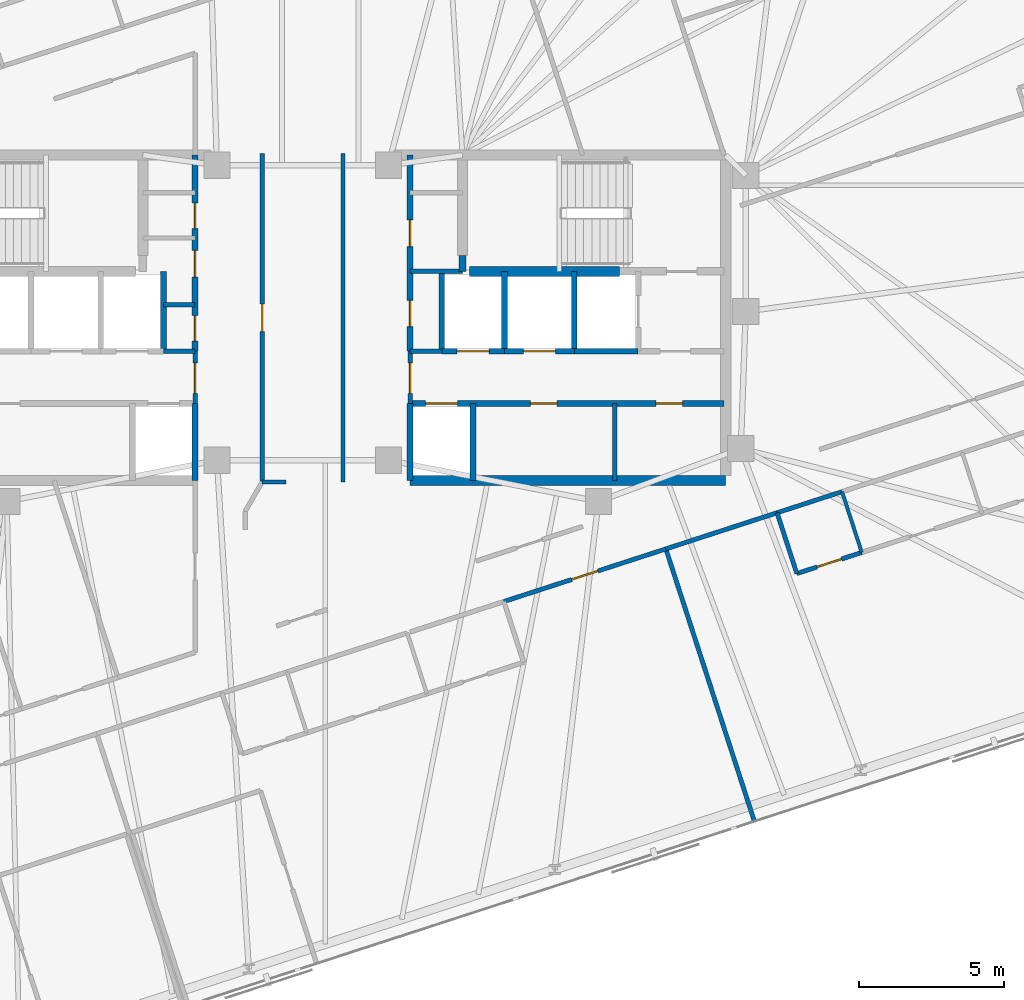
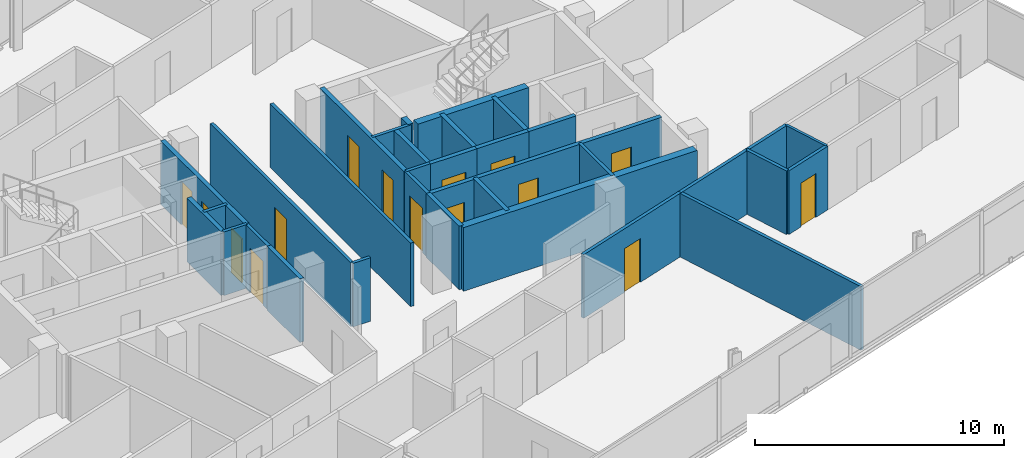
# One storey, part 15 of 20: 33 walls, 15 doors, 15 openings.
"""IFC4 building model written with IfcOpenShell, lengths in metres."""

from ifc_helpers import new_model, si_unit, direction, frame, frame_2d, origin, place, context, subcontext, project, spatial, rectangle, extrude, material, layer, layer_set, type_object, element, fill, save


model = new_model("IFC4")

# Units and contexts
model_context = context("Model", 3, precision=1e-05, world=origin(), true_north=direction((0.0, 1.0)))
body_context = subcontext(model_context, "Body", "Model", "MODEL_VIEW")
ifc_project = project(units=[si_unit("LENGTHUNIT", "METRE"), si_unit("AREAUNIT", "SQUARE_METRE"), si_unit("VOLUMEUNIT", "CUBIC_METRE"), si_unit("PLANEANGLEUNIT", "RADIAN"), si_unit("MASSUNIT", "GRAM", prefix="KILO")], contexts=[model_context])

# Site, building, storey
site_placement = place(None, origin())
site = spatial("IfcSite", under=ifc_project, at=site_placement, CompositionType="ELEMENT")
building_placement = place(site_placement, origin())
building = spatial("IfcBuilding", under=site, at=building_placement, Name="Menara Jurai Vektor", CompositionType="ELEMENT")
storey_placement = place(building_placement, frame((0.0, 0.0, 237.699951171875)))
storey = spatial("IfcBuildingStorey", under=building, at=storey_placement, Name="L63", CompositionType="ELEMENT", Elevation=237.699951171875)

# Walls
ifc_material_1 = material(Name="Concrete C40/50", Category="concrete")
ifc_layer_1 = layer(ifc_material_1, 0.25)
ifc_layer_set_1 = layer_set([ifc_layer_1], Name="Concrete C40/50")
wall_type_1 = type_object("IfcWallType", Name="INT-WALL-CORE-250", PredefinedType="STANDARD", material=ifc_layer_set_1)
wall_1_placement = place(storey_placement, frame((5.5, 1.60009765625, 0.0), z_axis=(0.0, 0.0, 1.0), x_axis=(0.0, 1.0, 0.0)))
element("IfcWall", 1, at=wall_1_placement, inside=storey, type_object=wall_type_1, Name="Interior Wall IW-250 L63", PredefinedType="STANDARD", context=body_context, shape_type="SweptSolid", body=[
    extrude(rectangle(XDim=0.5498046875, YDim=0.25, at=frame_2d((0.27490234375, 0.0))), origin(), (0.0, 0.0, 1.0), 3.125),
])
wall_2_placement = place(storey_placement, frame((9.35009765625, -1.14990234375, 0.0), z_axis=(0.0, 0.0, 1.0), x_axis=(0.0, 1.0, 0.0)))
element("IfcWall", 2, at=wall_2_placement, inside=storey, type_object=wall_type_1, Name="Interior Wall IW-250 L63", PredefinedType="STANDARD", context=body_context, shape_type="SweptSolid", body=[
    extrude(rectangle(XDim=2.75, YDim=0.199951171875, at=frame_2d((1.375, 0.0))), origin(), (0.0, 0.0, 1.0), 3.125),
])
wall_3_placement = place(storey_placement, frame((9.35009765625, -1.14990234375, 0.0), z_axis=(0.0, 0.0, 1.0), x_axis=(1.0, 0.0, 0.0)))
element("IfcWall", 3, at=wall_3_placement, inside=storey, type_object=wall_type_1, Name="Interior Wall IW-250 L63", PredefinedType="STANDARD", context=body_context, shape_type="SweptSolid", body=[
    extrude(rectangle(XDim=2.199951171875, YDim=0.199951171875, at=frame_2d((1.10009765625, 0.0))), origin(), (0.0, 0.0, 1.0), 3.125),
])

# Wall, opening, door
ifc_material_2 = material(Name="Gypsum Fireboard Partition", Category="gypsum")
ifc_layer_2 = layer(ifc_material_2, 0.14990234375)
ifc_layer_set_2 = layer_set([ifc_layer_2], Name="Gypsum Fireboard Partition")
wall_type_2 = type_object("IfcWallType", Name="INT-WALL-CORR-150", PredefinedType="PARTITIONING", material=ifc_layer_set_2)
wall_4_placement = place(storey_placement, frame((-3.699951171875, -2.949951171875, 0.0), z_axis=(0.0, 0.0, 1.0), x_axis=(0.0, 1.0, 0.0)))
wall_4 = element("IfcWall", 4, at=wall_4_placement, inside=storey, type_object=wall_type_2, Name="Interior Wall IW-150 L63", PredefinedType="PARTITIONING", context=body_context, shape_type="SweptSolid", body=[
    extrude(rectangle(XDim=1.800048828125, YDim=0.14990234375, at=frame_2d((0.89990234375, 0.0))), origin(), (0.0, 0.0, 1.0), 3.125),
])
opening_1_placement = place(wall_4_placement, frame((0.35009765625, 0.0, 0.0)))
opening_1 = element("IfcOpeningElement", 5, at=opening_1_placement, cuts=wall_4, Name="Opening D-L63-LLW", PredefinedType="OPENING", context=body_context, shape_type="SweptSolid", body=[
    extrude(rectangle(XDim=1.050048828125, YDim=2.179931640625, at=frame_2d((0.52490234375, 1.08984375))), frame((0.0, 0.0849609375, 0.0), z_axis=(0.0, -1.0, 0.0), x_axis=(1.0, 0.0, 0.0)), (0.0, 0.0, 1.0), 0.169921875),
])
ifc_material_3 = material(Name="Fire-Rated Timber Door", Category="wood")
door_type_1 = type_object("IfcDoorType", Name="DR-LOBBY-1050", OperationType="NOTDEFINED", PredefinedType="DOOR", material=ifc_material_3)
door_1_placement = place(opening_1_placement, origin())
door_1 = element("IfcDoor", 6, at=door_1_placement, inside=storey, type_object=door_type_1, Name="Lift Lobby Corridor Door W L63", OperationType="SINGLE_SWING_LEFT", OverallHeight=2.179931640625, OverallWidth=1.050048828125, PredefinedType="DOOR", context=body_context, shape_type="SweptSolid", body=[
    extrude(rectangle(XDim=1.050048828125, YDim=2.179931640625, at=frame_2d((0.52490234375, 1.08984375))), frame((0.0, 0.02490234375, 0.0), z_axis=(0.0, -1.0, 0.0), x_axis=(1.0, 0.0, 0.0)), (0.0, 0.0, 1.0), 0.050048828125),
])
fill(opening_1, door_1)

# Wall
wall_5_placement = place(storey_placement, frame((-4.7900390625, -1.14990234375, 0.0), z_axis=(0.0, 0.0, 1.0), x_axis=(1.0, 0.0, 0.0)))
element("IfcWall", 7, at=wall_5_placement, inside=storey, type_object=wall_type_2, Name="Interior Wall IW-150 L63", PredefinedType="PARTITIONING", context=body_context, shape_type="SweptSolid", body=[
    extrude(rectangle(XDim=1.090087890625, YDim=0.14990234375, at=frame_2d((0.544921875, 0.0))), origin(), (0.0, 0.0, 1.0), 3.125),
])

# Wall, opening, door
wall_6_placement = place(storey_placement, frame((3.699951171875, -2.949951171875, 0.0), z_axis=(0.0, 0.0, 1.0), x_axis=(0.0, 1.0, 0.0)))
wall_6 = element("IfcWall", 8, at=wall_6_placement, inside=storey, type_object=wall_type_2, Name="Interior Wall IW-150 L63", PredefinedType="PARTITIONING", context=body_context, shape_type="SweptSolid", body=[
    extrude(rectangle(XDim=1.800048828125, YDim=0.14990234375, at=frame_2d((0.89990234375, 0.0))), origin(), (0.0, 0.0, 1.0), 3.125),
])
opening_2_placement = place(wall_6_placement, frame((0.35009765625, 0.0, 0.0)))
opening_2 = element("IfcOpeningElement", 9, at=opening_2_placement, cuts=wall_6, Name="Opening D-L63-LLE", PredefinedType="OPENING", context=body_context, shape_type="SweptSolid", body=[
    extrude(rectangle(XDim=1.050048828125, YDim=2.179931640625, at=frame_2d((0.52490234375, 1.08984375))), frame((0.0, 0.0849609375, 0.0), z_axis=(0.0, -1.0, 0.0), x_axis=(1.0, 0.0, 0.0)), (0.0, 0.0, 1.0), 0.169921875),
])
door_2_placement = place(opening_2_placement, frame((1.050048828125, 0.0, 0.0), z_axis=(0.0, 0.0, 1.0), x_axis=(-1.0, 0.0, 0.0)))
door_2 = element("IfcDoor", 10, at=door_2_placement, inside=storey, type_object=door_type_1, Name="Lift Lobby Corridor Door E L63", OperationType="SINGLE_SWING_RIGHT", OverallHeight=2.179931640625, OverallWidth=1.050048828125, PredefinedType="DOOR", context=body_context, shape_type="SweptSolid", body=[
    extrude(rectangle(XDim=1.050048828125, YDim=2.179931640625, at=frame_2d((0.52490234375, 1.08984375))), frame((0.0, 0.02490234375, 0.0), z_axis=(0.0, -1.0, 0.0), x_axis=(1.0, 0.0, 0.0)), (0.0, 0.0, 1.0), 0.050048828125),
])
fill(opening_2, door_2)

# Walls
for number, where, z_axis, x_axis, name in (
    (11, (3.699951171875, -1.14990234375, 0.0), (0.0, 0.0, 1.0), (1.0, 0.0, 0.0), "Interior Wall IW-150 L63"),
    (12, (-4.7900390625, 0.449951171875, 0.0), (0.0, 0.0, 1.0), (1.0, 0.0, 0.0), "Interior Wall IW-150 L63"),
):
    element("IfcWall", number, at=place(storey_placement, frame(where, z_axis=z_axis, x_axis=x_axis)), inside=storey, type_object=wall_type_2, Name=name, PredefinedType="PARTITIONING", context=body_context, shape_type="SweptSolid", body=[
        extrude(rectangle(XDim=1.090087890625, YDim=0.14990234375, at=frame_2d((0.544921875, 0.0))), origin(), (0.0, 0.0, 1.0), 3.125),
    ])
wall_7_placement = place(storey_placement, frame((10.739990234375, -5.60009765625, 0.0), z_axis=(0.0, 0.0, 1.0), x_axis=(0.0, 1.0, 0.0)))
element("IfcWall", 13, at=wall_7_placement, inside=storey, type_object=wall_type_2, Name="Interior Wall IW-150 L63", PredefinedType="PARTITIONING", context=body_context, shape_type="SweptSolid", body=[
    extrude(rectangle(XDim=2.650146484375, YDim=0.14990234375, at=frame_2d((1.3251953125, 0.0))), origin(), (0.0, 0.0, 1.0), 3.125),
])
wall_8_placement = place(storey_placement, frame((3.699951171875, 1.60009765625, 0.0), z_axis=(0.0, 0.0, 1.0), x_axis=(1.0, 0.0, 0.0)))
element("IfcWall", 14, at=wall_8_placement, inside=storey, type_object=wall_type_2, Name="Interior Wall IW-150 L63", PredefinedType="PARTITIONING", context=body_context, shape_type="SweptSolid", body=[
    extrude(rectangle(XDim=1.800048828125, YDim=0.14990234375, at=frame_2d((0.89990234375, 0.0))), origin(), (0.0, 0.0, 1.0), 3.125),
])

# Wall, opening, door
wall_9_placement = place(storey_placement, frame((-1.390625, -5.650146484375, 0.0), z_axis=(0.0, 0.0, 1.0), x_axis=(-8.6422954e-05, 0.999999996266, 0.0)))
wall_9 = element("IfcWall", 15, at=wall_9_placement, inside=storey, type_object=wall_type_2, Name="Interior Wall IW-150 L63", PredefinedType="PARTITIONING", context=body_context, shape_type="SweptSolid", body=[
    extrude(rectangle(XDim=11.2998046875, YDim=0.14990234375, at=frame_2d((5.64990234375, 0.0))), origin(), (0.0, 0.0, 1.0), 3.125),
])
opening_3_placement = place(wall_9_placement, frame((5.1748046875, 0.0, 0.0)))
opening_3 = element("IfcOpeningElement", 16, at=opening_3_placement, cuts=wall_9, Name="Opening D63-09", PredefinedType="OPENING", context=body_context, shape_type="SweptSolid", body=[
    extrude(rectangle(XDim=0.949951171875, YDim=2.14990234375, at=frame_2d((0.47509765625, 1.074951171875))), frame((0.0, 0.0849609375, 0.0), z_axis=(0.0, -1.0, 0.0), x_axis=(1.0, 0.0, 0.0)), (0.0, 0.0, 1.0), 0.169921875),
])
ifc_material_4 = material(Name="Solid Core Timber Fire Door", Category="wood")
door_type_2 = type_object("IfcDoorType", Name="DR-ENTRY-950", OperationType="NOTDEFINED", PredefinedType="DOOR", material=ifc_material_4)
door_3_placement = place(opening_3_placement, origin())
door_3 = element("IfcDoor", 17, at=door_3_placement, inside=storey, type_object=door_type_2, Name="Interior Door D63-09", OperationType="SINGLE_SWING_LEFT", OverallHeight=2.14990234375, OverallWidth=0.949951171875, PredefinedType="DOOR", context=body_context, shape_type="SweptSolid", body=[
    extrude(rectangle(XDim=0.949951171875, YDim=2.14990234375, at=frame_2d((0.47509765625, 1.074951171875))), frame((0.0, 0.02490234375, 0.0), z_axis=(0.0, -1.0, 0.0), x_axis=(1.0, 0.0, 0.0)), (0.0, 0.0, 1.0), 0.050048828125),
])
fill(opening_3, door_3)

# Wall
wall_10_placement = place(storey_placement, frame((1.39111328125, -5.6484375, 0.0), z_axis=(0.0, 0.0, 1.0), x_axis=(-4.3218947e-05, 0.999999999066, 0.0)))
element("IfcWall", 18, at=wall_10_placement, inside=storey, type_object=wall_type_2, Name="Interior Wall IW-150 L63", PredefinedType="PARTITIONING", context=body_context, shape_type="SweptSolid", body=[
    extrude(rectangle(XDim=11.2978515625, YDim=0.14990234375, at=frame_2d((5.64892578125, 0.0))), origin(), (0.0, 0.0, 1.0), 3.125),
])

# Wall, opening, door
wall_11_placement = place(storey_placement, frame((6.92578125, -9.7646484375, 0.0), z_axis=(0.0, 0.0, 1.0), x_axis=(0.951054878391, 0.30902203528, 0.0)))
wall_11 = element("IfcWall", 19, at=wall_11_placement, inside=storey, type_object=wall_type_2, Name="Interior Wall IW-150 L63", PredefinedType="PARTITIONING", context=body_context, shape_type="SweptSolid", body=[
    extrude(rectangle(XDim=5.862060546875, YDim=0.14990234375, at=frame_2d((2.93115234375, 0.0))), origin(), (0.0, 0.0, 1.0), 3.125),
])
opening_4_placement = place(wall_11_placement, frame((2.4560546875, 0.0, 0.0)))
opening_4 = element("IfcOpeningElement", 20, at=opening_4_placement, cuts=wall_11, Name="Opening D63-30", PredefinedType="OPENING", context=body_context, shape_type="SweptSolid", body=[
    extrude(rectangle(XDim=0.949951171875, YDim=2.14990234375, at=frame_2d((0.47509765625, 1.074951171875))), frame((0.0, 0.0849609375, 0.0), z_axis=(0.0, -1.0, 0.0), x_axis=(1.0, 0.0, 0.0)), (0.0, 0.0, 1.0), 0.169921875),
])
door_4_placement = place(opening_4_placement, origin())
door_4 = element("IfcDoor", 21, at=door_4_placement, inside=storey, type_object=door_type_2, Name="Interior Door D63-30", OperationType="SINGLE_SWING_RIGHT", OverallHeight=2.14990234375, OverallWidth=0.949951171875, PredefinedType="DOOR", context=body_context, shape_type="SweptSolid", body=[
    extrude(rectangle(XDim=0.949951171875, YDim=2.14990234375, at=frame_2d((0.47509765625, 1.074951171875))), frame((0.0, 0.02490234375, 0.0), z_axis=(0.0, -1.0, 0.0), x_axis=(1.0, 0.0, 0.0)), (0.0, 0.0, 1.0), 0.050048828125),
])
fill(opening_4, door_4)

# Walls
wall_12_placement = place(storey_placement, frame((12.5009765625, -7.953125, 0.0), z_axis=(0.0, 0.0, 1.0), x_axis=(0.951046103464, 0.309049039936, 0.0)))
element("IfcWall", 22, at=wall_12_placement, inside=storey, type_object=wall_type_2, Name="Interior Wall IW-150 L63", PredefinedType="PARTITIONING", context=body_context, shape_type="SweptSolid", body=[
    extrude(rectangle(XDim=4.02490234375, YDim=0.14990234375, at=frame_2d((2.012451171875, 0.0))), origin(), (0.0, 0.0, 1.0), 3.125),
])
wall_13_placement = place(storey_placement, frame((16.328857421875, -6.709228515625, 0.0), z_axis=(0.0, 0.0, 1.0), x_axis=(0.951076048914, 0.308956872689, 0.0)))
element("IfcWall", 23, at=wall_13_placement, inside=storey, type_object=wall_type_2, Name="Interior Wall IW-150 L63", PredefinedType="PARTITIONING", context=body_context, shape_type="SweptSolid", body=[
    extrude(rectangle(XDim=2.35009765625, YDim=0.14990234375, at=frame_2d((1.175048828125, 0.0))), origin(), (0.0, 0.0, 1.0), 3.125),
])
wall_14_placement = place(storey_placement, frame((-1.390625, -5.650146484375, 0.0), z_axis=(0.0, 0.0, 1.0), x_axis=(0.999999954883, 0.000300390494, 0.0)))
element("IfcWall", 24, at=wall_14_placement, inside=storey, type_object=wall_type_2, Name="Interior Wall IW-150 L63", PredefinedType="PARTITIONING", context=body_context, shape_type="SweptSolid", body=[
    extrude(rectangle(XDim=0.812744140625, YDim=0.14990234375, at=frame_2d((0.40625, 0.0))), origin(), (0.0, 0.0, 1.0), 3.125),
])
wall_15_placement = place(storey_placement, frame((15.54833984375, -17.33251953125, 0.0), z_axis=(0.0, 0.0, 1.0), x_axis=(-0.308999867152, 0.951062081097, 0.0)))
element("IfcWall", 25, at=wall_15_placement, inside=storey, type_object=wall_type_2, Name="Interior Wall IW-150 L63", PredefinedType="PARTITIONING", context=body_context, shape_type="SweptSolid", body=[
    extrude(rectangle(XDim=9.862060546875, YDim=0.14990234375, at=frame_2d((4.93115234375, 0.0))), origin(), (0.0, 0.0, 1.0), 3.125),
])
wall_16_placement = place(storey_placement, frame((17.0087890625, -8.8017578125, 0.0), z_axis=(0.0, 0.0, 1.0), x_axis=(-0.309028364152, 0.951052821956, 0.0)))
element("IfcWall", 26, at=wall_16_placement, inside=storey, type_object=wall_type_2, Name="Interior Wall IW-150 L63", PredefinedType="PARTITIONING", context=body_context, shape_type="SweptSolid", body=[
    extrude(rectangle(XDim=2.2001953125, YDim=0.14990234375, at=frame_2d((1.10009765625, 0.0))), origin(), (0.0, 0.0, 1.0), 3.125),
])

# Wall, opening, door
wall_17_placement = place(storey_placement, frame((17.0087890625, -8.8017578125, 0.0), z_axis=(0.0, 0.0, 1.0), x_axis=(0.951035595692, 0.309081373955, 0.0)))
wall_17 = element("IfcWall", 27, at=wall_17_placement, inside=storey, type_object=wall_type_2, Name="Interior Wall IW-150 L63", PredefinedType="PARTITIONING", context=body_context, shape_type="SweptSolid", body=[
    extrude(rectangle(XDim=2.349853515625, YDim=0.14990234375, at=frame_2d((1.1748046875, 0.0))), origin(), (0.0, 0.0, 1.0), 3.125),
])
opening_5_placement = place(wall_17_placement, frame((0.735107421875, 0.0, 0.0)))
opening_5 = element("IfcOpeningElement", 28, at=opening_5_placement, cuts=wall_17, Name="Opening D63-36", PredefinedType="OPENING", context=body_context, shape_type="SweptSolid", body=[
    extrude(rectangle(XDim=0.8798828125, YDim=2.14990234375, at=frame_2d((0.43994140625, 1.074951171875))), frame((0.0, 0.0849609375, 0.0), z_axis=(0.0, -1.0, 0.0), x_axis=(1.0, 0.0, 0.0)), (0.0, 0.0, 1.0), 0.169921875),
])
ifc_material_5 = material(Name="Moisture-Resistant Timber Door", Category="wood")
door_type_3 = type_object("IfcDoorType", Name="DR-BATH-880", OperationType="NOTDEFINED", PredefinedType="DOOR", material=ifc_material_5)
door_5_placement = place(opening_5_placement, origin())
door_5 = element("IfcDoor", 29, at=door_5_placement, inside=storey, type_object=door_type_3, Name="Interior Door D63-36", OperationType="SINGLE_SWING_RIGHT", OverallHeight=2.14990234375, OverallWidth=0.8798828125, PredefinedType="DOOR", context=body_context, shape_type="SweptSolid", body=[
    extrude(rectangle(XDim=0.8798828125, YDim=2.14990234375, at=frame_2d((0.43994140625, 1.074951171875))), frame((0.0, 0.02490234375, 0.0), z_axis=(0.0, -1.0, 0.0), x_axis=(1.0, 0.0, 0.0)), (0.0, 0.0, 1.0), 0.050048828125),
])
fill(opening_5, door_5)

# Wall
ifc_material_6 = material(Name="Gypsum Acoustic Stud Partition", Category="gypsum")
ifc_layer_3 = layer(ifc_material_6, 0.1201171875)
ifc_layer_set_3 = layer_set([ifc_layer_3], Name="Gypsum Acoustic Stud Partition")
wall_type_3 = type_object("IfcWallType", Name="INT-WALL-PART-120", PredefinedType="PARTITIONING", material=ifc_layer_set_3)
wall_18_placement = place(storey_placement, frame((19.24365234375, -8.075439453125, 0.0), z_axis=(0.0, 0.0, 1.0), x_axis=(-0.308960600764, 0.951074837842, 0.0)))
element("IfcWall", 30, at=wall_18_placement, inside=storey, type_object=wall_type_3, Name="Interior Wall IW-120 L63", PredefinedType="PARTITIONING", context=body_context, shape_type="SweptSolid", body=[
    extrude(rectangle(XDim=2.199951171875, YDim=0.1201171875, at=frame_2d((1.10009765625, 0.0))), origin(), (0.0, 0.0, 1.0), 3.125),
])

# Wall, openings, doors
ifc_layer_4 = layer(ifc_material_1, 0.199951171875)
ifc_layer_set_4 = layer_set([ifc_layer_4], Name="Concrete C40/50")
wall_type_4 = type_object("IfcWallType", Name="INT-WALL-SHAFT-200", PredefinedType="STANDARD", material=ifc_layer_set_4)
wall_19_placement = place(storey_placement, frame((-3.699951171875, -1.14990234375, 0.0), z_axis=(0.0, 0.0, 1.0), x_axis=(0.0, 1.0, 0.0)))
wall_19 = element("IfcWall", 31, at=wall_19_placement, inside=storey, type_object=wall_type_4, Name="Interior Wall IW-200 L63", PredefinedType="STANDARD", context=body_context, shape_type="SweptSolid", body=[
    extrude(rectangle(XDim=6.75, YDim=0.199951171875, at=frame_2d((3.375, 0.0))), origin(), (0.0, 0.0, 1.0), 3.125),
])
opening_6_placement = place(wall_19_placement, frame((0.35009765625, 0.0, 0.0)))
opening_6 = element("IfcOpeningElement", 32, at=opening_6_placement, cuts=wall_19, Name="Opening D63-02", PredefinedType="OPENING", context=body_context, shape_type="SweptSolid", body=[
    extrude(rectangle(XDim=0.8798828125, YDim=2.14990234375, at=frame_2d((0.43994140625, 1.074951171875))), frame((0.0, 0.10986328125, 0.0), z_axis=(0.0, -1.0, 0.0), x_axis=(1.0, 0.0, 0.0)), (0.0, 0.0, 1.0), 0.219970703125),
])
opening_7_placement = place(wall_19_placement, frame((2.550048828125, 0.0, 0.0)))
opening_7 = element("IfcOpeningElement", 33, at=opening_7_placement, cuts=wall_19, Name="Opening D63-03", PredefinedType="OPENING", context=body_context, shape_type="SweptSolid", body=[
    extrude(rectangle(XDim=0.919921875, YDim=2.14990234375, at=frame_2d((0.4599609375, 1.074951171875))), frame((0.0, 0.10986328125, 0.0), z_axis=(0.0, -1.0, 0.0), x_axis=(1.0, 0.0, 0.0)), (0.0, 0.0, 1.0), 0.219970703125),
])
opening_8_placement = place(wall_19_placement, frame((4.219970703125, 0.0, 0.0)))
opening_8 = element("IfcOpeningElement", 34, at=opening_8_placement, cuts=wall_19, Name="Opening D63-04", PredefinedType="OPENING", context=body_context, shape_type="SweptSolid", body=[
    extrude(rectangle(XDim=0.8798828125, YDim=2.14990234375, at=frame_2d((0.43994140625, 1.074951171875))), frame((0.0, 0.10986328125, 0.0), z_axis=(0.0, -1.0, 0.0), x_axis=(1.0, 0.0, 0.0)), (0.0, 0.0, 1.0), 0.219970703125),
])
door_6_placement = place(opening_6_placement, origin())
door_6 = element("IfcDoor", 35, at=door_6_placement, inside=storey, type_object=door_type_2, Name="Interior Door D63-02", OperationType="SINGLE_SWING_LEFT", OverallHeight=2.14990234375, OverallWidth=0.8798828125, PredefinedType="DOOR", context=body_context, shape_type="SweptSolid", body=[
    extrude(rectangle(XDim=0.8798828125, YDim=2.14990234375, at=frame_2d((0.43994140625, 1.074951171875))), frame((0.0, 0.02490234375, 0.0), z_axis=(0.0, -1.0, 0.0), x_axis=(1.0, 0.0, 0.0)), (0.0, 0.0, 1.0), 0.050048828125),
])
fill(opening_6, door_6)
door_7_placement = place(opening_7_placement, origin())
door_7 = element("IfcDoor", 36, at=door_7_placement, inside=storey, type_object=door_type_2, Name="Interior Door D63-03", OperationType="SINGLE_SWING_LEFT", OverallHeight=2.14990234375, OverallWidth=0.919921875, PredefinedType="DOOR", context=body_context, shape_type="SweptSolid", body=[
    extrude(rectangle(XDim=0.919921875, YDim=2.14990234375, at=frame_2d((0.4599609375, 1.074951171875))), frame((0.0, 0.02490234375, 0.0), z_axis=(0.0, -1.0, 0.0), x_axis=(1.0, 0.0, 0.0)), (0.0, 0.0, 1.0), 0.050048828125),
])
fill(opening_7, door_7)
door_8_placement = place(opening_8_placement, origin())
door_8 = element("IfcDoor", 37, at=door_8_placement, inside=storey, type_object=door_type_2, Name="Interior Door D63-04", OperationType="SINGLE_SWING_LEFT", OverallHeight=2.14990234375, OverallWidth=0.8798828125, PredefinedType="DOOR", context=body_context, shape_type="SweptSolid", body=[
    extrude(rectangle(XDim=0.8798828125, YDim=2.14990234375, at=frame_2d((0.43994140625, 1.074951171875))), frame((0.0, 0.02490234375, 0.0), z_axis=(0.0, -1.0, 0.0), x_axis=(1.0, 0.0, 0.0)), (0.0, 0.0, 1.0), 0.050048828125),
])
fill(opening_8, door_8)

# Walls
wall_20_placement = place(storey_placement, frame((-3.699951171875, -5.60009765625, 0.0), z_axis=(0.0, 0.0, 1.0), x_axis=(0.0, 1.0, 0.0)))
element("IfcWall", 38, at=wall_20_placement, inside=storey, type_object=wall_type_4, Name="Interior Wall IW-200 L63", PredefinedType="STANDARD", context=body_context, shape_type="SweptSolid", body=[
    extrude(rectangle(XDim=2.650146484375, YDim=0.199951171875, at=frame_2d((1.3251953125, 0.0))), origin(), (0.0, 0.0, 1.0), 3.125),
])
wall_21_placement = place(storey_placement, frame((-4.7900390625, -1.14990234375, 0.0), z_axis=(0.0, 0.0, 1.0), x_axis=(0.0, 1.0, 0.0)))
element("IfcWall", 39, at=wall_21_placement, inside=storey, type_object=wall_type_4, Name="Interior Wall IW-200 L63", PredefinedType="STANDARD", context=body_context, shape_type="SweptSolid", body=[
    extrude(rectangle(XDim=2.75, YDim=0.199951171875, at=frame_2d((1.375, 0.0))), origin(), (0.0, 0.0, 1.0), 3.125),
])

# Wall, openings, doors
wall_22_placement = place(storey_placement, frame((3.699951171875, -1.14990234375, 0.0), z_axis=(0.0, 0.0, 1.0), x_axis=(0.0, 1.0, 0.0)))
wall_22 = element("IfcWall", 40, at=wall_22_placement, inside=storey, type_object=wall_type_4, Name="Interior Wall IW-200 L63", PredefinedType="STANDARD", context=body_context, shape_type="SweptSolid", body=[
    extrude(rectangle(XDim=6.75, YDim=0.199951171875, at=frame_2d((3.375, 0.0))), origin(), (0.0, 0.0, 1.0), 3.125),
])
opening_9_placement = place(wall_22_placement, frame((3.60009765625, 0.0, 0.0)))
opening_9 = element("IfcOpeningElement", 41, at=opening_9_placement, cuts=wall_22, Name="Opening D63-07", PredefinedType="OPENING", context=body_context, shape_type="SweptSolid", body=[
    extrude(rectangle(XDim=0.919921875, YDim=2.14990234375, at=frame_2d((0.4599609375, 1.074951171875))), frame((0.0, 0.10986328125, 0.0), z_axis=(0.0, -1.0, 0.0), x_axis=(1.0, 0.0, 0.0)), (0.0, 0.0, 1.0), 0.219970703125),
])
opening_10_placement = place(wall_22_placement, frame((0.85009765625, 0.0, 0.0)))
opening_10 = element("IfcOpeningElement", 42, at=opening_10_placement, cuts=wall_22, Name="Opening D63-08", PredefinedType="OPENING", context=body_context, shape_type="SweptSolid", body=[
    extrude(rectangle(XDim=0.89990234375, YDim=2.14990234375, at=frame_2d((0.449951171875, 1.074951171875))), frame((0.0, 0.10986328125, 0.0), z_axis=(0.0, -1.0, 0.0), x_axis=(1.0, 0.0, 0.0)), (0.0, 0.0, 1.0), 0.219970703125),
])
door_9_placement = place(opening_9_placement, origin())
door_9 = element("IfcDoor", 43, at=door_9_placement, inside=storey, type_object=door_type_2, Name="Interior Door D63-07", OperationType="SINGLE_SWING_RIGHT", OverallHeight=2.14990234375, OverallWidth=0.919921875, PredefinedType="DOOR", context=body_context, shape_type="SweptSolid", body=[
    extrude(rectangle(XDim=0.919921875, YDim=2.14990234375, at=frame_2d((0.4599609375, 1.074951171875))), frame((0.0, 0.02490234375, 0.0), z_axis=(0.0, -1.0, 0.0), x_axis=(1.0, 0.0, 0.0)), (0.0, 0.0, 1.0), 0.050048828125),
])
fill(opening_9, door_9)
door_10_placement = place(opening_10_placement, origin())
door_10 = element("IfcDoor", 44, at=door_10_placement, inside=storey, type_object=door_type_2, Name="Interior Door D63-08", OperationType="SINGLE_SWING_RIGHT", OverallHeight=2.14990234375, OverallWidth=0.89990234375, PredefinedType="DOOR", context=body_context, shape_type="SweptSolid", body=[
    extrude(rectangle(XDim=0.89990234375, YDim=2.14990234375, at=frame_2d((0.449951171875, 1.074951171875))), frame((0.0, 0.02490234375, 0.0), z_axis=(0.0, -1.0, 0.0), x_axis=(1.0, 0.0, 0.0)), (0.0, 0.0, 1.0), 0.050048828125),
])
fill(opening_10, door_10)

# Walls
wall_23_placement = place(storey_placement, frame((3.699951171875, -5.60009765625, 0.0), z_axis=(0.0, 0.0, 1.0), x_axis=(0.0, 1.0, 0.0)))
element("IfcWall", 45, at=wall_23_placement, inside=storey, type_object=wall_type_4, Name="Interior Wall IW-200 L63", PredefinedType="STANDARD", context=body_context, shape_type="SweptSolid", body=[
    extrude(rectangle(XDim=2.650146484375, YDim=0.199951171875, at=frame_2d((1.3251953125, 0.0))), origin(), (0.0, 0.0, 1.0), 3.125),
])
wall_24_placement = place(storey_placement, frame((6.949951171875, -1.14990234375, 0.0), z_axis=(0.0, 0.0, 1.0), x_axis=(0.0, 1.0, 0.0)))
element("IfcWall", 46, at=wall_24_placement, inside=storey, type_object=wall_type_4, Name="Interior Wall IW-200 L63", PredefinedType="STANDARD", context=body_context, shape_type="SweptSolid", body=[
    extrude(rectangle(XDim=2.75, YDim=0.199951171875, at=frame_2d((1.375, 0.0))), origin(), (0.0, 0.0, 1.0), 3.125),
])

# Wall, opening, door
wall_25_placement = place(storey_placement, frame((6.949951171875, -1.14990234375, 0.0), z_axis=(0.0, 0.0, 1.0), x_axis=(1.0, 0.0, 0.0)))
wall_25 = element("IfcWall", 47, at=wall_25_placement, inside=storey, type_object=wall_type_4, Name="Interior Wall IW-200 L63", PredefinedType="STANDARD", context=body_context, shape_type="SweptSolid", body=[
    extrude(rectangle(XDim=2.400146484375, YDim=0.199951171875, at=frame_2d((1.2001953125, 0.0))), origin(), (0.0, 0.0, 1.0), 3.125),
])
opening_11_placement = place(wall_25_placement, frame((0.64990234375, 0.0, 0.0)))
opening_11 = element("IfcOpeningElement", 48, at=opening_11_placement, cuts=wall_25, Name="Opening LD-L63-SVL2", PredefinedType="OPENING", context=body_context, shape_type="SweptSolid", body=[
    extrude(rectangle(XDim=1.10009765625, YDim=2.14990234375, at=frame_2d((0.550048828125, 1.074951171875))), frame((0.0, 0.10986328125, 0.0), z_axis=(0.0, -1.0, 0.0), x_axis=(1.0, 0.0, 0.0)), (0.0, 0.0, 1.0), 0.219970703125),
])
ifc_material_7 = material(Name="Anodised Stainless Sliding Lift Landing Door", Category="steel")
door_type_4 = type_object("IfcDoorType", Name="DR-LIFT-PASS-1100", OperationType="NOTDEFINED", PredefinedType="DOOR", material=ifc_material_7)
door_11_placement = place(opening_11_placement, origin())
door_11 = element("IfcDoor", 49, at=door_11_placement, inside=storey, type_object=door_type_4, Name="Lift Landing Door SVL2 L63", OperationType="SLIDING_TO_RIGHT", OverallHeight=2.14990234375, OverallWidth=1.10009765625, PredefinedType="DOOR", context=body_context, shape_type="SweptSolid", body=[
    extrude(rectangle(XDim=1.10009765625, YDim=2.14990234375, at=frame_2d((0.550048828125, 1.074951171875))), frame((0.0, 0.02490234375, 0.0), z_axis=(0.0, -1.0, 0.0), x_axis=(1.0, 0.0, 0.0)), (0.0, 0.0, 1.0), 0.050048828125),
])
fill(opening_11, door_11)

# Wall
wall_26_placement = place(storey_placement, frame((4.7900390625, -1.14990234375, 0.0), z_axis=(0.0, 0.0, 1.0), x_axis=(0.0, 1.0, 0.0)))
element("IfcWall", 50, at=wall_26_placement, inside=storey, type_object=wall_type_4, Name="Interior Wall IW-200 L63", PredefinedType="STANDARD", context=body_context, shape_type="SweptSolid", body=[
    extrude(rectangle(XDim=2.75, YDim=0.199951171875, at=frame_2d((1.375, 0.0))), origin(), (0.0, 0.0, 1.0), 3.125),
])

# Wall, opening, door
wall_27_placement = place(storey_placement, frame((4.7900390625, -1.14990234375, 0.0), z_axis=(0.0, 0.0, 1.0), x_axis=(1.0, 0.0, 0.0)))
wall_27 = element("IfcWall", 51, at=wall_27_placement, inside=storey, type_object=wall_type_4, Name="Interior Wall IW-200 L63", PredefinedType="STANDARD", context=body_context, shape_type="SweptSolid", body=[
    extrude(rectangle(XDim=2.159912109375, YDim=0.199951171875, at=frame_2d((1.080078125, 0.0))), origin(), (0.0, 0.0, 1.0), 3.125),
])
opening_12_placement = place(wall_27_placement, frame((0.530029296875, 0.0, 0.0)))
opening_12 = element("IfcOpeningElement", 52, at=opening_12_placement, cuts=wall_27, Name="Opening LD-L63-PH4", PredefinedType="OPENING", context=body_context, shape_type="SweptSolid", body=[
    extrude(rectangle(XDim=1.10009765625, YDim=2.14990234375, at=frame_2d((0.550048828125, 1.074951171875))), frame((0.0, 0.10986328125, 0.0), z_axis=(0.0, -1.0, 0.0), x_axis=(1.0, 0.0, 0.0)), (0.0, 0.0, 1.0), 0.219970703125),
])
door_12_placement = place(opening_12_placement, origin())
door_12 = element("IfcDoor", 53, at=door_12_placement, inside=storey, type_object=door_type_4, Name="Lift Landing Door PH4 L63", OperationType="SLIDING_TO_LEFT", OverallHeight=2.14990234375, OverallWidth=1.10009765625, PredefinedType="DOOR", context=body_context, shape_type="SweptSolid", body=[
    extrude(rectangle(XDim=1.10009765625, YDim=2.14990234375, at=frame_2d((0.550048828125, 1.074951171875))), frame((0.0, 0.02490234375, 0.0), z_axis=(0.0, -1.0, 0.0), x_axis=(1.0, 0.0, 0.0)), (0.0, 0.0, 1.0), 0.050048828125),
])
fill(opening_12, door_12)

# Wall, openings, doors
wall_28_placement = place(storey_placement, frame((3.699951171875, -2.949951171875, 0.0), z_axis=(0.0, 0.0, 1.0), x_axis=(1.0, 0.0, 0.0)))
wall_28 = element("IfcWall", 54, at=wall_28_placement, inside=storey, type_object=wall_type_4, Name="Interior Wall IW-200 L63", PredefinedType="STANDARD", context=body_context, shape_type="SweptSolid", body=[
    extrude(rectangle(XDim=10.800048828125, YDim=0.199951171875, at=frame_2d((5.39990234375, 0.0))), origin(), (0.0, 0.0, 1.0), 3.125),
])
opening_13_placement = place(wall_28_placement, frame((0.530029296875, 0.0, 0.0)))
opening_13 = element("IfcOpeningElement", 55, at=opening_13_placement, cuts=wall_28, Name="Opening LD-L63-PH3", PredefinedType="OPENING", context=body_context, shape_type="SweptSolid", body=[
    extrude(rectangle(XDim=1.10009765625, YDim=2.14990234375, at=frame_2d((0.550048828125, 1.074951171875))), frame((0.0, 0.10986328125, 0.0), z_axis=(0.0, -1.0, 0.0), x_axis=(1.0, 0.0, 0.0)), (0.0, 0.0, 1.0), 0.219970703125),
])
opening_14_placement = place(wall_28_placement, frame((4.139892578125, 0.0, 0.0)))
opening_14 = element("IfcOpeningElement", 56, at=opening_14_placement, cuts=wall_28, Name="Opening D63-05", PredefinedType="OPENING", context=body_context, shape_type="SweptSolid", body=[
    extrude(rectangle(XDim=0.919921875, YDim=2.14990234375, at=frame_2d((0.4599609375, 1.074951171875))), frame((0.0, 0.10986328125, 0.0), z_axis=(0.0, -1.0, 0.0), x_axis=(1.0, 0.0, 0.0)), (0.0, 0.0, 1.0), 0.219970703125),
])
opening_15_placement = place(wall_28_placement, frame((8.4599609375, 0.0, 0.0)))
opening_15 = element("IfcOpeningElement", 57, at=opening_15_placement, cuts=wall_28, Name="Opening D63-06", PredefinedType="OPENING", context=body_context, shape_type="SweptSolid", body=[
    extrude(rectangle(XDim=0.919921875, YDim=2.14990234375, at=frame_2d((0.4599609375, 1.074951171875))), frame((0.0, 0.10986328125, 0.0), z_axis=(0.0, -1.0, 0.0), x_axis=(1.0, 0.0, 0.0)), (0.0, 0.0, 1.0), 0.219970703125),
])
door_13_placement = place(opening_14_placement, origin())
door_13 = element("IfcDoor", 58, at=door_13_placement, inside=storey, type_object=door_type_2, Name="Interior Door D63-05", OperationType="SINGLE_SWING_LEFT", OverallHeight=2.14990234375, OverallWidth=0.919921875, PredefinedType="DOOR", context=body_context, shape_type="SweptSolid", body=[
    extrude(rectangle(XDim=0.919921875, YDim=2.14990234375, at=frame_2d((0.4599609375, 1.074951171875))), frame((0.0, 0.02490234375, 0.0), z_axis=(0.0, -1.0, 0.0), x_axis=(1.0, 0.0, 0.0)), (0.0, 0.0, 1.0), 0.050048828125),
])
fill(opening_14, door_13)
door_14_placement = place(opening_15_placement, origin())
door_14 = element("IfcDoor", 59, at=door_14_placement, inside=storey, type_object=door_type_2, Name="Interior Door D63-06", OperationType="SINGLE_SWING_RIGHT", OverallHeight=2.14990234375, OverallWidth=0.919921875, PredefinedType="DOOR", context=body_context, shape_type="SweptSolid", body=[
    extrude(rectangle(XDim=0.919921875, YDim=2.14990234375, at=frame_2d((0.4599609375, 1.074951171875))), frame((0.0, 0.02490234375, 0.0), z_axis=(0.0, -1.0, 0.0), x_axis=(1.0, 0.0, 0.0)), (0.0, 0.0, 1.0), 0.050048828125),
])
fill(opening_15, door_14)
door_15_placement = place(opening_13_placement, origin())
door_15 = element("IfcDoor", 60, at=door_15_placement, inside=storey, type_object=door_type_4, Name="Lift Landing Door PH3 L63", OperationType="SLIDING_TO_RIGHT", OverallHeight=2.14990234375, OverallWidth=1.10009765625, PredefinedType="DOOR", context=body_context, shape_type="SweptSolid", body=[
    extrude(rectangle(XDim=1.10009765625, YDim=2.14990234375, at=frame_2d((0.550048828125, 1.074951171875))), frame((0.0, 0.02490234375, 0.0), z_axis=(0.0, -1.0, 0.0), x_axis=(1.0, 0.0, 0.0)), (0.0, 0.0, 1.0), 0.050048828125),
])
fill(opening_13, door_15)

# Walls
wall_29_placement = place(storey_placement, frame((5.860107421875, -5.60009765625, 0.0), z_axis=(0.0, 0.0, 1.0), x_axis=(0.0, 1.0, 0.0)))
element("IfcWall", 61, at=wall_29_placement, inside=storey, type_object=wall_type_4, Name="Interior Wall IW-200 L63", PredefinedType="STANDARD", context=body_context, shape_type="SweptSolid", body=[
    extrude(rectangle(XDim=2.650146484375, YDim=0.199951171875, at=frame_2d((1.3251953125, 0.0))), origin(), (0.0, 0.0, 1.0), 3.125),
])
ifc_material_8 = material(Name="Concrete C50/60", Category="concrete")
ifc_layer_5 = layer(ifc_material_8, 0.35009765625)
ifc_layer_set_5 = layer_set([ifc_layer_5], Name="Concrete C50/60")
wall_type_5 = type_object("IfcWallType", Name="STR-WALL-CORE350", PredefinedType="SHEAR", material=ifc_layer_set_5)
wall_30_placement = place(storey_placement, frame((3.699951171875, -5.60009765625, 0.0), z_axis=(0.0, 0.0, 1.0), x_axis=(1.0, 0.0, 0.0)))
element("IfcWall", 62, at=wall_30_placement, inside=storey, type_object=wall_type_5, Name="Core Shear Wall CW-E-S L63", PredefinedType="SHEAR", context=body_context, shape_type="SweptSolid", body=[
    extrude(rectangle(XDim=10.860107421875, YDim=0.35009765625, at=frame_2d((5.43017578125, 0.0))), origin(), (0.0, 0.0, 1.0), 3.125),
])
wall_31_placement = place(storey_placement, frame((5.75, 1.60009765625, 0.0), z_axis=(0.0, 0.0, 1.0), x_axis=(1.0, 0.0, 0.0)))
element("IfcWall", 63, at=wall_31_placement, inside=storey, type_object=wall_type_5, Name="Core Shear Wall CW-E-STS L63", PredefinedType="SHEAR", context=body_context, shape_type="SweptSolid", body=[
    extrude(rectangle(XDim=5.14990234375, YDim=0.35009765625, at=frame_2d((2.574951171875, 0.0))), origin(), (0.0, 0.0, 1.0), 3.125),
])

save(model, "model.ifc")
